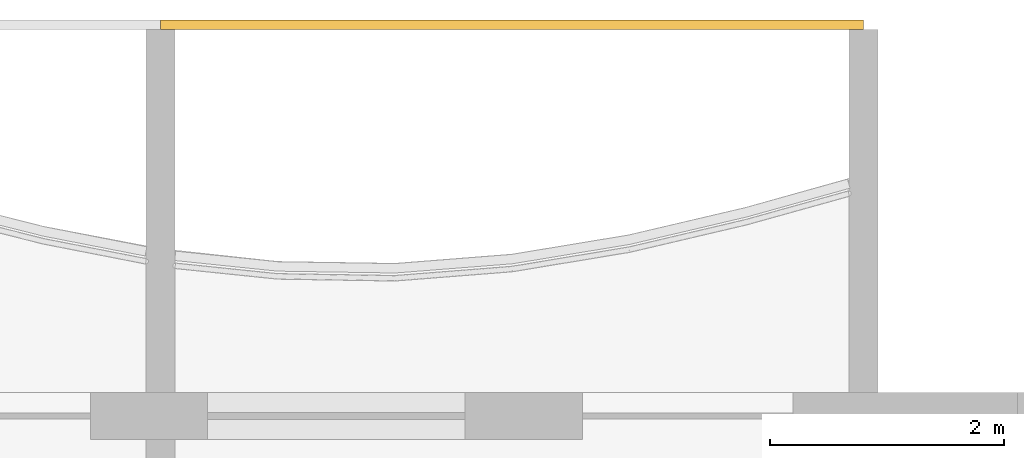
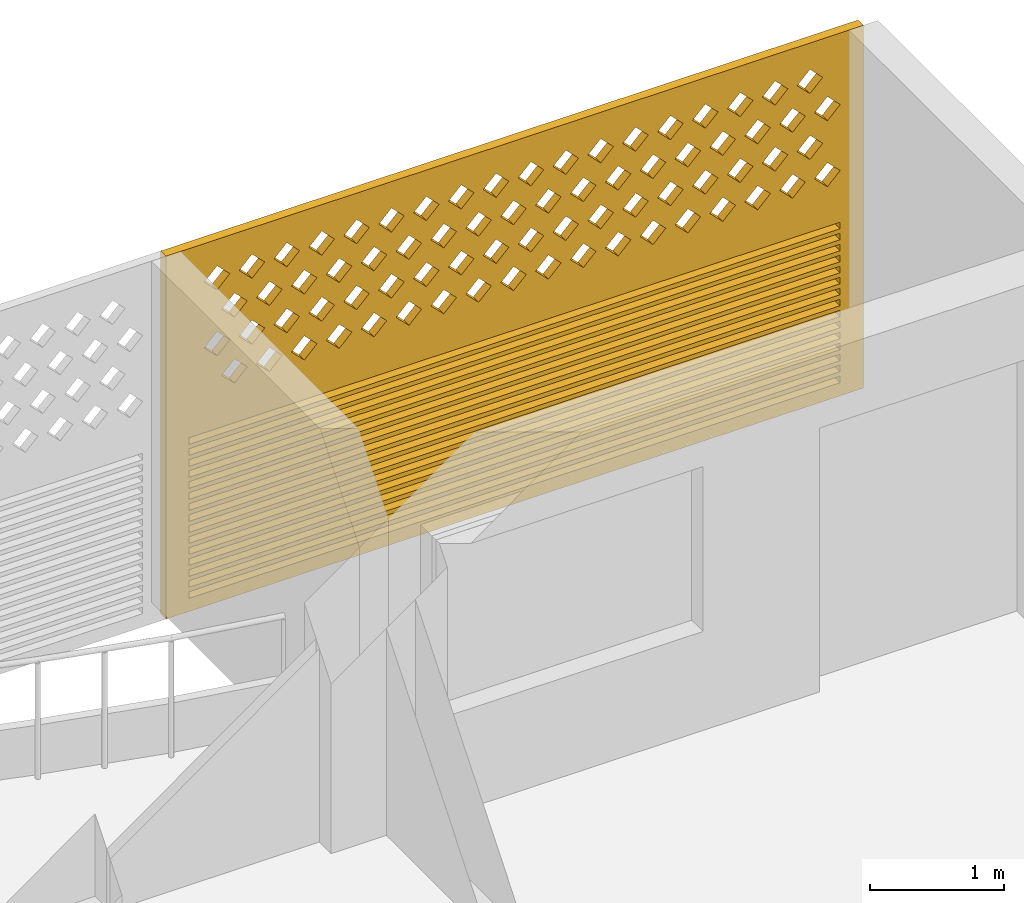
# One storey, part 27 of 27: 1 covering.
"""IFC4 building model written with IfcOpenShell, lengths in metres."""

import ifcopenshell
import ifcopenshell.guid

model = None  # the IFC model being written
_history = None  # IfcOwnerHistory: only IFC2X3 demands one
_inside = {}  # id of a spatial element -> (the spatial element, [elements in it])
_under = {}  # id of a project, library or spatial element -> (it, [spatial elements below it])
_declared = {}  # id of a project -> (the project, [libraries it declares])
_typed = {}  # id of a type object -> (the type object, [elements of that type])
_made_of = {}  # id of a material, layer set ... -> (it, [elements and type objects made of it])


def new_model(schema):
    """Start an empty IFC model of exactly this schema.

    Asked for "IFC4X3", IfcOpenShell would pick the latest addendum, in which some entities
    have other attributes; the version numbers below select the first issue.
    IFC2X3 requires an IfcOwnerHistory on every rooted entity: one is made here for all.
    """
    global model, _history
    if schema == "IFC4X3":
        model = ifcopenshell.file(schema_version=(4, 3, 0, 0))
    else:
        model = ifcopenshell.file(schema=schema)
    _inside.clear()
    _under.clear()
    _declared.clear()
    _typed.clear()
    _made_of.clear()
    _history = None
    if model.schema == "IFC2X3":
        org = make("IfcOrganization", Name="unknown")
        user = make(
            "IfcPersonAndOrganization",
            ThePerson=make("IfcPerson", FamilyName="unknown"),
            TheOrganization=org,
        )
        app = make(
            "IfcApplication",
            ApplicationDeveloper=org,
            Version="unknown",
            ApplicationFullName="unknown",
            ApplicationIdentifier="unknown",
        )
        _history = make(
            "IfcOwnerHistory",
            OwningUser=user,
            OwningApplication=app,
            ChangeAction="ADDED",
            CreationDate=0,
        )
    return model


def make(cls, **values):
    """One entity of the class cls with the attributes given. An attribute that is None is left unset."""
    return model.create_entity(
        cls, **{name: value for name, value in values.items() if value is not None}
    )


def rooted(cls, **values):
    """An entity with a GlobalId (a new one), such as an element, a storey or a relation."""
    return make(cls, GlobalId=ifcopenshell.guid.new(), OwnerHistory=_history, **values)


def si_unit(unit_type, name, prefix=None):
    """IfcSIUnit, for example si_unit("LENGTHUNIT", "METRE", prefix="MILLI")."""
    return make("IfcSIUnit", UnitType=unit_type, Prefix=prefix, Name=name)


def assignment(units):
    """IfcUnitAssignment: the units of a project."""
    return None if units is None else make("IfcUnitAssignment", Units=units)


def point(xyz):
    """IfcCartesianPoint."""
    return None if xyz is None else make("IfcCartesianPoint", Coordinates=xyz)


def direction(xyz):
    """IfcDirection."""
    return None if xyz is None else make("IfcDirection", DirectionRatios=xyz)


def frame(location, z_axis=None, x_axis=None):
    """IfcAxis2Placement3D, a coordinate frame: its origin and axes. An axis left out is left unset."""
    return make(
        "IfcAxis2Placement3D",
        Location=point(location),
        Axis=direction(z_axis),
        RefDirection=direction(x_axis),
    )


def origin():
    """The frame at (0, 0, 0) with its axes left unset."""
    return frame((0.0, 0.0, 0.0))


def place(relative_to, where):
    """IfcLocalPlacement: puts the frame where relative to a parent placement (None: the world)."""
    return make(
        "IfcLocalPlacement", PlacementRelTo=relative_to, RelativePlacement=where
    )


def context(
    kind, dimensions, precision=None, world=None, true_north=None, identifier=None
):
    """IfcGeometricRepresentationContext, for example the 3D "Model" context."""
    return make(
        "IfcGeometricRepresentationContext",
        ContextIdentifier=identifier,
        ContextType=kind,
        CoordinateSpaceDimension=dimensions,
        Precision=precision,
        WorldCoordinateSystem=world,
        TrueNorth=true_north,
    )


def subcontext(parent, identifier, kind, view, scale=None):
    """IfcGeometricRepresentationSubContext, for example "Body" below "Model"."""
    return make(
        "IfcGeometricRepresentationSubContext",
        ContextIdentifier=identifier,
        ContextType=kind,
        ParentContext=parent,
        TargetScale=scale,
        TargetView=view,
    )


def project(units=None, contexts=None):
    """IfcProject with its units and contexts."""
    return rooted(
        "IfcProject",
        Name="project",
        RepresentationContexts=contexts,
        UnitsInContext=assignment(units),
    )


def spatial(cls, under=None, at=None, **own):
    """A site, building, storey or space (cls), placed at a placement, below another one or the project."""
    s = rooted(cls, ObjectPlacement=at, **own)
    if under is not None:
        _under.setdefault(under.id(), (under, []))[1].append(s)
    return s


def polyline(points):
    """IfcPolyline through the points."""
    return make("IfcPolyline", Points=[point(p) for p in points])


def outline(outer, holes=None, kind="AREA"):
    """IfcArbitraryClosedProfileDef: a profile drawn as a closed curve; with holes, ...WithVoids."""
    if holes is None:
        return make("IfcArbitraryClosedProfileDef", ProfileType=kind, OuterCurve=outer)
    return make(
        "IfcArbitraryProfileDefWithVoids",
        ProfileType=kind,
        OuterCurve=outer,
        InnerCurves=holes,
    )


def extrude(swept, where, along, depth):
    """IfcExtrudedAreaSolid: the profile swept, set in the frame where, extruded along a direction by depth."""
    return make(
        "IfcExtrudedAreaSolid",
        SweptArea=swept,
        Position=where,
        ExtrudedDirection=direction(along),
        Depth=depth,
    )


def shape(context_of_items, identifier, shape_type, items):
    """IfcShapeRepresentation: the items that make up one representation, for example the "Body"."""
    return make(
        "IfcShapeRepresentation",
        ContextOfItems=context_of_items,
        RepresentationIdentifier=identifier,
        RepresentationType=shape_type,
        Items=items,
    )


def source(mapping_origin, context_of_items, identifier, shape_type, items):
    """IfcRepresentationMap: a shape defined once, which mapped items show again and again."""
    return make(
        "IfcRepresentationMap",
        MappingOrigin=mapping_origin,
        MappedRepresentation=shape(context_of_items, identifier, shape_type, items),
    )


def transform(
    local_origin,
    x_axis=None,
    y_axis=None,
    z_axis=None,
    scale=None,
    scale2=None,
    scale3=None,
    uniform=True,
):
    """IfcCartesianTransformationOperator3D, or its non-uniform kind. x_axis, y_axis, z_axis: its Axis1, 2, 3."""
    if uniform:
        return make(
            "IfcCartesianTransformationOperator3D",
            Axis1=direction(x_axis),
            Axis2=direction(y_axis),
            LocalOrigin=point(local_origin),
            Scale=scale,
            Axis3=direction(z_axis),
        )
    return make(
        "IfcCartesianTransformationOperator3DnonUniform",
        Axis1=direction(x_axis),
        Axis2=direction(y_axis),
        LocalOrigin=point(local_origin),
        Scale=scale,
        Axis3=direction(z_axis),
        Scale2=scale2,
        Scale3=scale3,
    )


def mapped(mapping_source, mapping_target):
    """IfcMappedItem: shows the shape of a source again, moved by a transform."""
    return make(
        "IfcMappedItem", MappingSource=mapping_source, MappingTarget=mapping_target
    )


def material(Name=None, Category=None):
    """IfcMaterial."""
    return make("IfcMaterial", Name=Name, Category=Category)


def material_profile(
    of_material, cross_section, Name=None, Category=None, Priority=None
):
    """IfcMaterialProfile: a cross section and its material."""
    return make(
        "IfcMaterialProfile",
        Name=Name,
        Material=of_material,
        Profile=cross_section,
        Priority=Priority,
        Category=Category,
    )


def profile_set(profiles, Name=None, composite=None):
    """IfcMaterialProfileSet."""
    return make(
        "IfcMaterialProfileSet",
        Name=Name,
        MaterialProfiles=profiles,
        CompositeProfile=composite,
    )


def made_of(thing, what):
    """Note that an element or type object is made of a material, layer set ...; save() writes the relation."""
    if what is not None:
        _made_of.setdefault(what.id(), (what, []))[1].append(thing)
    return thing


def type_object(cls, material=None, **own):
    """A type object (cls), such as IfcWallType, which elements share."""
    return made_of(rooted(cls, **own), material)


def element(
    cls,
    number,
    at=None,
    inside=None,
    cuts=None,
    type_object=None,
    material=None,
    context=None,
    identifier="Body",
    shape_type=None,
    held_by="IfcProductDefinitionShape",
    body=None,
    shapes=None,
    **own,
):
    """One element of the class cls, such as IfcWall. Its Tag is "e" and its number.

    at: its placement. inside: the storey or other place that contains it. cuts: it is an
    opening in that element (IfcRelVoidsElement). A single representation is given by context,
    identifier, shape_type and body (its items); several are given by shapes. held_by: the class
    of the entity that holds the representations. save() writes the other relations.
    """
    e = rooted(cls, Tag="e%d" % number, ObjectPlacement=at, **own)
    if body is not None:
        shapes = [shape(context, identifier, shape_type, body)]
    if shapes is not None:
        e.Representation = make(held_by, Representations=shapes)
    if inside is not None:
        _inside.setdefault(inside.id(), (inside, []))[1].append(e)
    if cuts is not None:
        rooted(
            "IfcRelVoidsElement", RelatingBuildingElement=cuts, RelatedOpeningElement=e
        )
    if type_object is not None:
        _typed.setdefault(type_object.id(), (type_object, []))[1].append(e)
    return made_of(e, material)


def aggregate(whole, parts):
    """IfcRelAggregates: a whole, such as a stair, and the parts it consists of."""
    return rooted("IfcRelAggregates", RelatingObject=whole, RelatedObjects=parts)


def save(model, path):
    """Write the relations noted so far, then the file.

    IfcRelAggregates (storeys below a building ...), IfcRelContainedInSpatialStructure (elements
    in a storey), IfcRelDefinesByType, IfcRelAssociatesMaterial and IfcRelDeclares: one each for
    every whole, place, type object, material and project.
    """
    for whole, parts in _under.values():
        aggregate(whole, parts)
    for where, things in _inside.values():
        rooted(
            "IfcRelContainedInSpatialStructure",
            RelatedElements=things,
            RelatingStructure=where,
        )
    for kind, things in _typed.values():
        rooted("IfcRelDefinesByType", RelatedObjects=things, RelatingType=kind)
    for what, things in _made_of.values():
        rooted("IfcRelAssociatesMaterial", RelatedObjects=things, RelatingMaterial=what)
    for by, libraries in _declared.values():
        rooted("IfcRelDeclares", RelatingContext=by, RelatedDefinitions=libraries)
    model.write(path)


model = new_model("IFC4")

# Units and contexts
model_context = context("Model", 3, precision=1e-05, world=origin(), true_north=direction((0.0, 1.0)))
body_context = subcontext(model_context, "Body", "Model", "MODEL_VIEW")
ifc_project = project(units=[si_unit("LENGTHUNIT", "METRE"), si_unit("AREAUNIT", "SQUARE_METRE"), si_unit("VOLUMEUNIT", "CUBIC_METRE"), si_unit("PLANEANGLEUNIT", "RADIAN"), si_unit("MASSUNIT", "GRAM", prefix="KILO")], contexts=[model_context])

# Site, building, storey
site_placement = place(None, origin())
site = spatial("IfcSite", under=ifc_project, at=site_placement, CompositionType="ELEMENT")
building_placement = place(site_placement, origin())
building = spatial("IfcBuilding", under=site, at=building_placement, Name="Poui Terraces", CompositionType="ELEMENT")
storey_placement = place(building_placement, frame((0.0, 0.0, 195.0)))
storey = spatial("IfcBuildingStorey", under=building, at=storey_placement, Name="L54", CompositionType="ELEMENT", Elevation=195.0)

# Covering
ifc_material = material(Name="Terracotta screen", Category="masonry")
ifc_material_profile = material_profile(ifc_material, outline(polyline([(-3.0, -1.64990234375), (3.0, -1.64990234375), (3.0, 1.64990234375), (-3.0, 1.64990234375), (-3.0, -1.64990234375)]), holes=[polyline([(-2.800048828125, 0.39990234375), (-2.68994140625, 0.2900390625), (-2.580078125, 0.39990234375), (-2.68994140625, 0.510009765625), (-2.800048828125, 0.39990234375)]), polyline([(-2.5, 0.39990234375), (-2.389892578125, 0.2900390625), (-2.280029296875, 0.39990234375), (-2.389892578125, 0.510009765625), (-2.5, 0.39990234375)]), polyline([(-2.199951171875, 0.39990234375), (-2.090087890625, 0.2900390625), (-1.97998046875, 0.39990234375), (-2.090087890625, 0.510009765625), (-2.199951171875, 0.39990234375)]), polyline([(-1.89990234375, 0.39990234375), (-1.7900390625, 0.2900390625), (-1.679931640625, 0.39990234375), (-1.7900390625, 0.510009765625), (-1.89990234375, 0.39990234375)]), polyline([(-1.60009765625, 0.39990234375), (-1.489990234375, 0.2900390625), (-1.3798828125, 0.39990234375), (-1.489990234375, 0.510009765625), (-1.60009765625, 0.39990234375)]), polyline([(-1.300048828125, 0.39990234375), (-1.18994140625, 0.2900390625), (-1.080078125, 0.39990234375), (-1.18994140625, 0.510009765625), (-1.300048828125, 0.39990234375)]), polyline([(-1.0, 0.39990234375), (-0.889892578125, 0.2900390625), (-0.780029296875, 0.39990234375), (-0.889892578125, 0.510009765625), (-1.0, 0.39990234375)]), polyline([(-0.699951171875, 0.39990234375), (-0.590087890625, 0.2900390625), (-0.47998046875, 0.39990234375), (-0.590087890625, 0.510009765625), (-0.699951171875, 0.39990234375)]), polyline([(-0.39990234375, 0.39990234375), (-0.2900390625, 0.2900390625), (-0.179931640625, 0.39990234375), (-0.2900390625, 0.510009765625), (-0.39990234375, 0.39990234375)]), polyline([(-0.10009765625, 0.39990234375), (0.010009765625, 0.2900390625), (0.1201171875, 0.39990234375), (0.010009765625, 0.510009765625), (-0.10009765625, 0.39990234375)]), polyline([(0.199951171875, 0.39990234375), (0.31005859375, 0.2900390625), (0.419921875, 0.39990234375), (0.31005859375, 0.510009765625), (0.199951171875, 0.39990234375)]), polyline([(0.5, 0.39990234375), (0.610107421875, 0.2900390625), (0.719970703125, 0.39990234375), (0.610107421875, 0.510009765625), (0.5, 0.39990234375)]), polyline([(0.800048828125, 0.39990234375), (0.909912109375, 0.2900390625), (1.02001953125, 0.39990234375), (0.909912109375, 0.510009765625), (0.800048828125, 0.39990234375)]), polyline([(1.10009765625, 0.39990234375), (1.2099609375, 0.2900390625), (1.320068359375, 0.39990234375), (1.2099609375, 0.510009765625), (1.10009765625, 0.39990234375)]), polyline([(1.39990234375, 0.39990234375), (1.510009765625, 0.2900390625), (1.6201171875, 0.39990234375), (1.510009765625, 0.510009765625), (1.39990234375, 0.39990234375)]), polyline([(1.699951171875, 0.39990234375), (1.81005859375, 0.2900390625), (1.919921875, 0.39990234375), (1.81005859375, 0.510009765625), (1.699951171875, 0.39990234375)]), polyline([(2.0, 0.39990234375), (2.110107421875, 0.2900390625), (2.219970703125, 0.39990234375), (2.110107421875, 0.510009765625), (2.0, 0.39990234375)]), polyline([(2.300048828125, 0.39990234375), (2.409912109375, 0.2900390625), (2.52001953125, 0.39990234375), (2.409912109375, 0.510009765625), (2.300048828125, 0.39990234375)]), polyline([(-2.64990234375, 0.699951171875), (-2.5400390625, 0.590087890625), (-2.429931640625, 0.699951171875), (-2.5400390625, 0.81005859375), (-2.64990234375, 0.699951171875)]), polyline([(-2.35009765625, 0.699951171875), (-2.239990234375, 0.590087890625), (-2.1298828125, 0.699951171875), (-2.239990234375, 0.81005859375), (-2.35009765625, 0.699951171875)]), polyline([(-2.050048828125, 0.699951171875), (-1.93994140625, 0.590087890625), (-1.830078125, 0.699951171875), (-1.93994140625, 0.81005859375), (-2.050048828125, 0.699951171875)]), polyline([(-1.75, 0.699951171875), (-1.639892578125, 0.590087890625), (-1.530029296875, 0.699951171875), (-1.639892578125, 0.81005859375), (-1.75, 0.699951171875)]), polyline([(-1.449951171875, 0.699951171875), (-1.340087890625, 0.590087890625), (-1.22998046875, 0.699951171875), (-1.340087890625, 0.81005859375), (-1.449951171875, 0.699951171875)]), polyline([(-1.14990234375, 0.699951171875), (-1.0400390625, 0.590087890625), (-0.929931640625, 0.699951171875), (-1.0400390625, 0.81005859375), (-1.14990234375, 0.699951171875)]), polyline([(-0.85009765625, 0.699951171875), (-0.739990234375, 0.590087890625), (-0.6298828125, 0.699951171875), (-0.739990234375, 0.81005859375), (-0.85009765625, 0.699951171875)]), polyline([(-0.550048828125, 0.699951171875), (-0.43994140625, 0.590087890625), (-0.330078125, 0.699951171875), (-0.43994140625, 0.81005859375), (-0.550048828125, 0.699951171875)]), polyline([(-0.25, 0.699951171875), (-0.139892578125, 0.590087890625), (-0.030029296875, 0.699951171875), (-0.139892578125, 0.81005859375), (-0.25, 0.699951171875)]), polyline([(0.050048828125, 0.699951171875), (0.159912109375, 0.590087890625), (0.27001953125, 0.699951171875), (0.159912109375, 0.81005859375), (0.050048828125, 0.699951171875)]), polyline([(0.35009765625, 0.699951171875), (0.4599609375, 0.590087890625), (0.570068359375, 0.699951171875), (0.4599609375, 0.81005859375), (0.35009765625, 0.699951171875)]), polyline([(0.64990234375, 0.699951171875), (0.760009765625, 0.590087890625), (0.8701171875, 0.699951171875), (0.760009765625, 0.81005859375), (0.64990234375, 0.699951171875)]), polyline([(0.949951171875, 0.699951171875), (1.06005859375, 0.590087890625), (1.169921875, 0.699951171875), (1.06005859375, 0.81005859375), (0.949951171875, 0.699951171875)]), polyline([(1.25, 0.699951171875), (1.360107421875, 0.590087890625), (1.469970703125, 0.699951171875), (1.360107421875, 0.81005859375), (1.25, 0.699951171875)]), polyline([(1.550048828125, 0.699951171875), (1.659912109375, 0.590087890625), (1.77001953125, 0.699951171875), (1.659912109375, 0.81005859375), (1.550048828125, 0.699951171875)]), polyline([(1.85009765625, 0.699951171875), (1.9599609375, 0.590087890625), (2.070068359375, 0.699951171875), (1.9599609375, 0.81005859375), (1.85009765625, 0.699951171875)]), polyline([(2.14990234375, 0.699951171875), (2.260009765625, 0.590087890625), (2.3701171875, 0.699951171875), (2.260009765625, 0.81005859375), (2.14990234375, 0.699951171875)]), polyline([(2.449951171875, 0.699951171875), (2.56005859375, 0.590087890625), (2.669921875, 0.699951171875), (2.56005859375, 0.81005859375), (2.449951171875, 0.699951171875)]), polyline([(-2.800048828125, 1.0), (-2.68994140625, 0.889892578125), (-2.580078125, 1.0), (-2.68994140625, 1.110107421875), (-2.800048828125, 1.0)]), polyline([(-2.5, 1.0), (-2.389892578125, 0.889892578125), (-2.280029296875, 1.0), (-2.389892578125, 1.110107421875), (-2.5, 1.0)]), polyline([(-2.199951171875, 1.0), (-2.090087890625, 0.889892578125), (-1.97998046875, 1.0), (-2.090087890625, 1.110107421875), (-2.199951171875, 1.0)]), polyline([(-1.89990234375, 1.0), (-1.7900390625, 0.889892578125), (-1.679931640625, 1.0), (-1.7900390625, 1.110107421875), (-1.89990234375, 1.0)]), polyline([(-1.60009765625, 1.0), (-1.489990234375, 0.889892578125), (-1.3798828125, 1.0), (-1.489990234375, 1.110107421875), (-1.60009765625, 1.0)]), polyline([(-1.300048828125, 1.0), (-1.18994140625, 0.889892578125), (-1.080078125, 1.0), (-1.18994140625, 1.110107421875), (-1.300048828125, 1.0)]), polyline([(-1.0, 1.0), (-0.889892578125, 0.889892578125), (-0.780029296875, 1.0), (-0.889892578125, 1.110107421875), (-1.0, 1.0)]), polyline([(-0.699951171875, 1.0), (-0.590087890625, 0.889892578125), (-0.47998046875, 1.0), (-0.590087890625, 1.110107421875), (-0.699951171875, 1.0)]), polyline([(-0.39990234375, 1.0), (-0.2900390625, 0.889892578125), (-0.179931640625, 1.0), (-0.2900390625, 1.110107421875), (-0.39990234375, 1.0)]), polyline([(-0.10009765625, 1.0), (0.010009765625, 0.889892578125), (0.1201171875, 1.0), (0.010009765625, 1.110107421875), (-0.10009765625, 1.0)]), polyline([(0.199951171875, 1.0), (0.31005859375, 0.889892578125), (0.419921875, 1.0), (0.31005859375, 1.110107421875), (0.199951171875, 1.0)]), polyline([(0.5, 1.0), (0.610107421875, 0.889892578125), (0.719970703125, 1.0), (0.610107421875, 1.110107421875), (0.5, 1.0)]), polyline([(0.800048828125, 1.0), (0.909912109375, 0.889892578125), (1.02001953125, 1.0), (0.909912109375, 1.110107421875), (0.800048828125, 1.0)]), polyline([(1.10009765625, 1.0), (1.2099609375, 0.889892578125), (1.320068359375, 1.0), (1.2099609375, 1.110107421875), (1.10009765625, 1.0)]), polyline([(1.39990234375, 1.0), (1.510009765625, 0.889892578125), (1.6201171875, 1.0), (1.510009765625, 1.110107421875), (1.39990234375, 1.0)]), polyline([(1.699951171875, 1.0), (1.81005859375, 0.889892578125), (1.919921875, 1.0), (1.81005859375, 1.110107421875), (1.699951171875, 1.0)]), polyline([(2.0, 1.0), (2.110107421875, 0.889892578125), (2.219970703125, 1.0), (2.110107421875, 1.110107421875), (2.0, 1.0)]), polyline([(2.300048828125, 1.0), (2.409912109375, 0.889892578125), (2.52001953125, 1.0), (2.409912109375, 1.110107421875), (2.300048828125, 1.0)]), polyline([(-2.64990234375, 1.300048828125), (-2.5400390625, 1.18994140625), (-2.429931640625, 1.300048828125), (-2.5400390625, 1.409912109375), (-2.64990234375, 1.300048828125)]), polyline([(-2.35009765625, 1.300048828125), (-2.239990234375, 1.18994140625), (-2.1298828125, 1.300048828125), (-2.239990234375, 1.409912109375), (-2.35009765625, 1.300048828125)]), polyline([(-2.050048828125, 1.300048828125), (-1.93994140625, 1.18994140625), (-1.830078125, 1.300048828125), (-1.93994140625, 1.409912109375), (-2.050048828125, 1.300048828125)]), polyline([(-1.75, 1.300048828125), (-1.639892578125, 1.18994140625), (-1.530029296875, 1.300048828125), (-1.639892578125, 1.409912109375), (-1.75, 1.300048828125)]), polyline([(-1.449951171875, 1.300048828125), (-1.340087890625, 1.18994140625), (-1.22998046875, 1.300048828125), (-1.340087890625, 1.409912109375), (-1.449951171875, 1.300048828125)]), polyline([(-1.14990234375, 1.300048828125), (-1.0400390625, 1.18994140625), (-0.929931640625, 1.300048828125), (-1.0400390625, 1.409912109375), (-1.14990234375, 1.300048828125)]), polyline([(-0.85009765625, 1.300048828125), (-0.739990234375, 1.18994140625), (-0.6298828125, 1.300048828125), (-0.739990234375, 1.409912109375), (-0.85009765625, 1.300048828125)]), polyline([(-0.550048828125, 1.300048828125), (-0.43994140625, 1.18994140625), (-0.330078125, 1.300048828125), (-0.43994140625, 1.409912109375), (-0.550048828125, 1.300048828125)]), polyline([(-0.25, 1.300048828125), (-0.139892578125, 1.18994140625), (-0.030029296875, 1.300048828125), (-0.139892578125, 1.409912109375), (-0.25, 1.300048828125)]), polyline([(0.050048828125, 1.300048828125), (0.159912109375, 1.18994140625), (0.27001953125, 1.300048828125), (0.159912109375, 1.409912109375), (0.050048828125, 1.300048828125)]), polyline([(0.35009765625, 1.300048828125), (0.4599609375, 1.18994140625), (0.570068359375, 1.300048828125), (0.4599609375, 1.409912109375), (0.35009765625, 1.300048828125)]), polyline([(0.64990234375, 1.300048828125), (0.760009765625, 1.18994140625), (0.8701171875, 1.300048828125), (0.760009765625, 1.409912109375), (0.64990234375, 1.300048828125)]), polyline([(0.949951171875, 1.300048828125), (1.06005859375, 1.18994140625), (1.169921875, 1.300048828125), (1.06005859375, 1.409912109375), (0.949951171875, 1.300048828125)]), polyline([(1.25, 1.300048828125), (1.360107421875, 1.18994140625), (1.469970703125, 1.300048828125), (1.360107421875, 1.409912109375), (1.25, 1.300048828125)]), polyline([(1.550048828125, 1.300048828125), (1.659912109375, 1.18994140625), (1.77001953125, 1.300048828125), (1.659912109375, 1.409912109375), (1.550048828125, 1.300048828125)]), polyline([(1.85009765625, 1.300048828125), (1.9599609375, 1.18994140625), (2.070068359375, 1.300048828125), (1.9599609375, 1.409912109375), (1.85009765625, 1.300048828125)]), polyline([(2.14990234375, 1.300048828125), (2.260009765625, 1.18994140625), (2.3701171875, 1.300048828125), (2.260009765625, 1.409912109375), (2.14990234375, 1.300048828125)]), polyline([(2.449951171875, 1.300048828125), (2.56005859375, 1.18994140625), (2.669921875, 1.300048828125), (2.56005859375, 1.409912109375), (2.449951171875, 1.300048828125)]), polyline([(-2.800048828125, -1.530029296875), (2.800048828125, -1.530029296875), (2.800048828125, -1.469970703125), (-2.800048828125, -1.469970703125), (-2.800048828125, -1.530029296875)]), polyline([(-2.800048828125, -1.429931640625), (2.800048828125, -1.429931640625), (2.800048828125, -1.3701171875), (-2.800048828125, -1.3701171875), (-2.800048828125, -1.429931640625)]), polyline([(-2.800048828125, -1.330078125), (2.800048828125, -1.330078125), (2.800048828125, -1.27001953125), (-2.800048828125, -1.27001953125), (-2.800048828125, -1.330078125)]), polyline([(-2.800048828125, -1.22998046875), (2.800048828125, -1.22998046875), (2.800048828125, -1.169921875), (-2.800048828125, -1.169921875), (-2.800048828125, -1.22998046875)]), polyline([(-2.800048828125, -1.1298828125), (2.800048828125, -1.1298828125), (2.800048828125, -1.070068359375), (-2.800048828125, -1.070068359375), (-2.800048828125, -1.1298828125)]), polyline([(-2.800048828125, -1.030029296875), (2.800048828125, -1.030029296875), (2.800048828125, -0.969970703125), (-2.800048828125, -0.969970703125), (-2.800048828125, -1.030029296875)]), polyline([(-2.800048828125, -0.929931640625), (2.800048828125, -0.929931640625), (2.800048828125, -0.8701171875), (-2.800048828125, -0.8701171875), (-2.800048828125, -0.929931640625)]), polyline([(-2.800048828125, -0.830078125), (2.800048828125, -0.830078125), (2.800048828125, -0.77001953125), (-2.800048828125, -0.77001953125), (-2.800048828125, -0.830078125)]), polyline([(-2.800048828125, -0.72998046875), (2.800048828125, -0.72998046875), (2.800048828125, -0.669921875), (-2.800048828125, -0.669921875), (-2.800048828125, -0.72998046875)]), polyline([(-2.800048828125, -0.6298828125), (2.800048828125, -0.6298828125), (2.800048828125, -0.570068359375), (-2.800048828125, -0.570068359375), (-2.800048828125, -0.6298828125)]), polyline([(-2.800048828125, -0.530029296875), (2.800048828125, -0.530029296875), (2.800048828125, -0.469970703125), (-2.800048828125, -0.469970703125), (-2.800048828125, -0.530029296875)]), polyline([(-2.800048828125, -0.429931640625), (2.800048828125, -0.429931640625), (2.800048828125, -0.3701171875), (-2.800048828125, -0.3701171875), (-2.800048828125, -0.429931640625)]), polyline([(-2.800048828125, -0.330078125), (2.800048828125, -0.330078125), (2.800048828125, -0.27001953125), (-2.800048828125, -0.27001953125), (-2.800048828125, -0.330078125)]), polyline([(-2.800048828125, -0.22998046875), (2.800048828125, -0.22998046875), (2.800048828125, -0.169921875), (-2.800048828125, -0.169921875), (-2.800048828125, -0.22998046875)]), polyline([(-2.800048828125, -0.1298828125), (2.800048828125, -0.1298828125), (2.800048828125, -0.070068359375), (-2.800048828125, -0.070068359375), (-2.800048828125, -0.1298828125)])]), Name="TERRACOTTA SCREEN AND JALOUSIE LOUVRE 6000X3300")
ifc_profile_set = profile_set([ifc_material_profile], Name="Terracotta screen")
covering_type = type_object("IfcCoveringType", Name="TERRACOTTA SCREEN AND JALOUSIE LOUVRE 6000X3300", PredefinedType="CLADDING", material=ifc_profile_set)
shared_shape = source(origin(), body_context, "Body", "SweptSolid", [
    extrude(outline(polyline([(-3.0, -1.64990234375), (3.0, -1.64990234375), (3.0, 1.64990234375), (-3.0, 1.64990234375), (-3.0, -1.64990234375)]), holes=[polyline([(-2.800048828125, 0.39990234375), (-2.68994140625, 0.2900390625), (-2.580078125, 0.39990234375), (-2.68994140625, 0.510009765625), (-2.800048828125, 0.39990234375)]), polyline([(-2.5, 0.39990234375), (-2.389892578125, 0.2900390625), (-2.280029296875, 0.39990234375), (-2.389892578125, 0.510009765625), (-2.5, 0.39990234375)]), polyline([(-2.199951171875, 0.39990234375), (-2.090087890625, 0.2900390625), (-1.97998046875, 0.39990234375), (-2.090087890625, 0.510009765625), (-2.199951171875, 0.39990234375)]), polyline([(-1.89990234375, 0.39990234375), (-1.7900390625, 0.2900390625), (-1.679931640625, 0.39990234375), (-1.7900390625, 0.510009765625), (-1.89990234375, 0.39990234375)]), polyline([(-1.60009765625, 0.39990234375), (-1.489990234375, 0.2900390625), (-1.3798828125, 0.39990234375), (-1.489990234375, 0.510009765625), (-1.60009765625, 0.39990234375)]), polyline([(-1.300048828125, 0.39990234375), (-1.18994140625, 0.2900390625), (-1.080078125, 0.39990234375), (-1.18994140625, 0.510009765625), (-1.300048828125, 0.39990234375)]), polyline([(-1.0, 0.39990234375), (-0.889892578125, 0.2900390625), (-0.780029296875, 0.39990234375), (-0.889892578125, 0.510009765625), (-1.0, 0.39990234375)]), polyline([(-0.699951171875, 0.39990234375), (-0.590087890625, 0.2900390625), (-0.47998046875, 0.39990234375), (-0.590087890625, 0.510009765625), (-0.699951171875, 0.39990234375)]), polyline([(-0.39990234375, 0.39990234375), (-0.2900390625, 0.2900390625), (-0.179931640625, 0.39990234375), (-0.2900390625, 0.510009765625), (-0.39990234375, 0.39990234375)]), polyline([(-0.10009765625, 0.39990234375), (0.010009765625, 0.2900390625), (0.1201171875, 0.39990234375), (0.010009765625, 0.510009765625), (-0.10009765625, 0.39990234375)]), polyline([(0.199951171875, 0.39990234375), (0.31005859375, 0.2900390625), (0.419921875, 0.39990234375), (0.31005859375, 0.510009765625), (0.199951171875, 0.39990234375)]), polyline([(0.5, 0.39990234375), (0.610107421875, 0.2900390625), (0.719970703125, 0.39990234375), (0.610107421875, 0.510009765625), (0.5, 0.39990234375)]), polyline([(0.800048828125, 0.39990234375), (0.909912109375, 0.2900390625), (1.02001953125, 0.39990234375), (0.909912109375, 0.510009765625), (0.800048828125, 0.39990234375)]), polyline([(1.10009765625, 0.39990234375), (1.2099609375, 0.2900390625), (1.320068359375, 0.39990234375), (1.2099609375, 0.510009765625), (1.10009765625, 0.39990234375)]), polyline([(1.39990234375, 0.39990234375), (1.510009765625, 0.2900390625), (1.6201171875, 0.39990234375), (1.510009765625, 0.510009765625), (1.39990234375, 0.39990234375)]), polyline([(1.699951171875, 0.39990234375), (1.81005859375, 0.2900390625), (1.919921875, 0.39990234375), (1.81005859375, 0.510009765625), (1.699951171875, 0.39990234375)]), polyline([(2.0, 0.39990234375), (2.110107421875, 0.2900390625), (2.219970703125, 0.39990234375), (2.110107421875, 0.510009765625), (2.0, 0.39990234375)]), polyline([(2.300048828125, 0.39990234375), (2.409912109375, 0.2900390625), (2.52001953125, 0.39990234375), (2.409912109375, 0.510009765625), (2.300048828125, 0.39990234375)]), polyline([(-2.64990234375, 0.699951171875), (-2.5400390625, 0.590087890625), (-2.429931640625, 0.699951171875), (-2.5400390625, 0.81005859375), (-2.64990234375, 0.699951171875)]), polyline([(-2.35009765625, 0.699951171875), (-2.239990234375, 0.590087890625), (-2.1298828125, 0.699951171875), (-2.239990234375, 0.81005859375), (-2.35009765625, 0.699951171875)]), polyline([(-2.050048828125, 0.699951171875), (-1.93994140625, 0.590087890625), (-1.830078125, 0.699951171875), (-1.93994140625, 0.81005859375), (-2.050048828125, 0.699951171875)]), polyline([(-1.75, 0.699951171875), (-1.639892578125, 0.590087890625), (-1.530029296875, 0.699951171875), (-1.639892578125, 0.81005859375), (-1.75, 0.699951171875)]), polyline([(-1.449951171875, 0.699951171875), (-1.340087890625, 0.590087890625), (-1.22998046875, 0.699951171875), (-1.340087890625, 0.81005859375), (-1.449951171875, 0.699951171875)]), polyline([(-1.14990234375, 0.699951171875), (-1.0400390625, 0.590087890625), (-0.929931640625, 0.699951171875), (-1.0400390625, 0.81005859375), (-1.14990234375, 0.699951171875)]), polyline([(-0.85009765625, 0.699951171875), (-0.739990234375, 0.590087890625), (-0.6298828125, 0.699951171875), (-0.739990234375, 0.81005859375), (-0.85009765625, 0.699951171875)]), polyline([(-0.550048828125, 0.699951171875), (-0.43994140625, 0.590087890625), (-0.330078125, 0.699951171875), (-0.43994140625, 0.81005859375), (-0.550048828125, 0.699951171875)]), polyline([(-0.25, 0.699951171875), (-0.139892578125, 0.590087890625), (-0.030029296875, 0.699951171875), (-0.139892578125, 0.81005859375), (-0.25, 0.699951171875)]), polyline([(0.050048828125, 0.699951171875), (0.159912109375, 0.590087890625), (0.27001953125, 0.699951171875), (0.159912109375, 0.81005859375), (0.050048828125, 0.699951171875)]), polyline([(0.35009765625, 0.699951171875), (0.4599609375, 0.590087890625), (0.570068359375, 0.699951171875), (0.4599609375, 0.81005859375), (0.35009765625, 0.699951171875)]), polyline([(0.64990234375, 0.699951171875), (0.760009765625, 0.590087890625), (0.8701171875, 0.699951171875), (0.760009765625, 0.81005859375), (0.64990234375, 0.699951171875)]), polyline([(0.949951171875, 0.699951171875), (1.06005859375, 0.590087890625), (1.169921875, 0.699951171875), (1.06005859375, 0.81005859375), (0.949951171875, 0.699951171875)]), polyline([(1.25, 0.699951171875), (1.360107421875, 0.590087890625), (1.469970703125, 0.699951171875), (1.360107421875, 0.81005859375), (1.25, 0.699951171875)]), polyline([(1.550048828125, 0.699951171875), (1.659912109375, 0.590087890625), (1.77001953125, 0.699951171875), (1.659912109375, 0.81005859375), (1.550048828125, 0.699951171875)]), polyline([(1.85009765625, 0.699951171875), (1.9599609375, 0.590087890625), (2.070068359375, 0.699951171875), (1.9599609375, 0.81005859375), (1.85009765625, 0.699951171875)]), polyline([(2.14990234375, 0.699951171875), (2.260009765625, 0.590087890625), (2.3701171875, 0.699951171875), (2.260009765625, 0.81005859375), (2.14990234375, 0.699951171875)]), polyline([(2.449951171875, 0.699951171875), (2.56005859375, 0.590087890625), (2.669921875, 0.699951171875), (2.56005859375, 0.81005859375), (2.449951171875, 0.699951171875)]), polyline([(-2.800048828125, 1.0), (-2.68994140625, 0.889892578125), (-2.580078125, 1.0), (-2.68994140625, 1.110107421875), (-2.800048828125, 1.0)]), polyline([(-2.5, 1.0), (-2.389892578125, 0.889892578125), (-2.280029296875, 1.0), (-2.389892578125, 1.110107421875), (-2.5, 1.0)]), polyline([(-2.199951171875, 1.0), (-2.090087890625, 0.889892578125), (-1.97998046875, 1.0), (-2.090087890625, 1.110107421875), (-2.199951171875, 1.0)]), polyline([(-1.89990234375, 1.0), (-1.7900390625, 0.889892578125), (-1.679931640625, 1.0), (-1.7900390625, 1.110107421875), (-1.89990234375, 1.0)]), polyline([(-1.60009765625, 1.0), (-1.489990234375, 0.889892578125), (-1.3798828125, 1.0), (-1.489990234375, 1.110107421875), (-1.60009765625, 1.0)]), polyline([(-1.300048828125, 1.0), (-1.18994140625, 0.889892578125), (-1.080078125, 1.0), (-1.18994140625, 1.110107421875), (-1.300048828125, 1.0)]), polyline([(-1.0, 1.0), (-0.889892578125, 0.889892578125), (-0.780029296875, 1.0), (-0.889892578125, 1.110107421875), (-1.0, 1.0)]), polyline([(-0.699951171875, 1.0), (-0.590087890625, 0.889892578125), (-0.47998046875, 1.0), (-0.590087890625, 1.110107421875), (-0.699951171875, 1.0)]), polyline([(-0.39990234375, 1.0), (-0.2900390625, 0.889892578125), (-0.179931640625, 1.0), (-0.2900390625, 1.110107421875), (-0.39990234375, 1.0)]), polyline([(-0.10009765625, 1.0), (0.010009765625, 0.889892578125), (0.1201171875, 1.0), (0.010009765625, 1.110107421875), (-0.10009765625, 1.0)]), polyline([(0.199951171875, 1.0), (0.31005859375, 0.889892578125), (0.419921875, 1.0), (0.31005859375, 1.110107421875), (0.199951171875, 1.0)]), polyline([(0.5, 1.0), (0.610107421875, 0.889892578125), (0.719970703125, 1.0), (0.610107421875, 1.110107421875), (0.5, 1.0)]), polyline([(0.800048828125, 1.0), (0.909912109375, 0.889892578125), (1.02001953125, 1.0), (0.909912109375, 1.110107421875), (0.800048828125, 1.0)]), polyline([(1.10009765625, 1.0), (1.2099609375, 0.889892578125), (1.320068359375, 1.0), (1.2099609375, 1.110107421875), (1.10009765625, 1.0)]), polyline([(1.39990234375, 1.0), (1.510009765625, 0.889892578125), (1.6201171875, 1.0), (1.510009765625, 1.110107421875), (1.39990234375, 1.0)]), polyline([(1.699951171875, 1.0), (1.81005859375, 0.889892578125), (1.919921875, 1.0), (1.81005859375, 1.110107421875), (1.699951171875, 1.0)]), polyline([(2.0, 1.0), (2.110107421875, 0.889892578125), (2.219970703125, 1.0), (2.110107421875, 1.110107421875), (2.0, 1.0)]), polyline([(2.300048828125, 1.0), (2.409912109375, 0.889892578125), (2.52001953125, 1.0), (2.409912109375, 1.110107421875), (2.300048828125, 1.0)]), polyline([(-2.64990234375, 1.300048828125), (-2.5400390625, 1.18994140625), (-2.429931640625, 1.300048828125), (-2.5400390625, 1.409912109375), (-2.64990234375, 1.300048828125)]), polyline([(-2.35009765625, 1.300048828125), (-2.239990234375, 1.18994140625), (-2.1298828125, 1.300048828125), (-2.239990234375, 1.409912109375), (-2.35009765625, 1.300048828125)]), polyline([(-2.050048828125, 1.300048828125), (-1.93994140625, 1.18994140625), (-1.830078125, 1.300048828125), (-1.93994140625, 1.409912109375), (-2.050048828125, 1.300048828125)]), polyline([(-1.75, 1.300048828125), (-1.639892578125, 1.18994140625), (-1.530029296875, 1.300048828125), (-1.639892578125, 1.409912109375), (-1.75, 1.300048828125)]), polyline([(-1.449951171875, 1.300048828125), (-1.340087890625, 1.18994140625), (-1.22998046875, 1.300048828125), (-1.340087890625, 1.409912109375), (-1.449951171875, 1.300048828125)]), polyline([(-1.14990234375, 1.300048828125), (-1.0400390625, 1.18994140625), (-0.929931640625, 1.300048828125), (-1.0400390625, 1.409912109375), (-1.14990234375, 1.300048828125)]), polyline([(-0.85009765625, 1.300048828125), (-0.739990234375, 1.18994140625), (-0.6298828125, 1.300048828125), (-0.739990234375, 1.409912109375), (-0.85009765625, 1.300048828125)]), polyline([(-0.550048828125, 1.300048828125), (-0.43994140625, 1.18994140625), (-0.330078125, 1.300048828125), (-0.43994140625, 1.409912109375), (-0.550048828125, 1.300048828125)]), polyline([(-0.25, 1.300048828125), (-0.139892578125, 1.18994140625), (-0.030029296875, 1.300048828125), (-0.139892578125, 1.409912109375), (-0.25, 1.300048828125)]), polyline([(0.050048828125, 1.300048828125), (0.159912109375, 1.18994140625), (0.27001953125, 1.300048828125), (0.159912109375, 1.409912109375), (0.050048828125, 1.300048828125)]), polyline([(0.35009765625, 1.300048828125), (0.4599609375, 1.18994140625), (0.570068359375, 1.300048828125), (0.4599609375, 1.409912109375), (0.35009765625, 1.300048828125)]), polyline([(0.64990234375, 1.300048828125), (0.760009765625, 1.18994140625), (0.8701171875, 1.300048828125), (0.760009765625, 1.409912109375), (0.64990234375, 1.300048828125)]), polyline([(0.949951171875, 1.300048828125), (1.06005859375, 1.18994140625), (1.169921875, 1.300048828125), (1.06005859375, 1.409912109375), (0.949951171875, 1.300048828125)]), polyline([(1.25, 1.300048828125), (1.360107421875, 1.18994140625), (1.469970703125, 1.300048828125), (1.360107421875, 1.409912109375), (1.25, 1.300048828125)]), polyline([(1.550048828125, 1.300048828125), (1.659912109375, 1.18994140625), (1.77001953125, 1.300048828125), (1.659912109375, 1.409912109375), (1.550048828125, 1.300048828125)]), polyline([(1.85009765625, 1.300048828125), (1.9599609375, 1.18994140625), (2.070068359375, 1.300048828125), (1.9599609375, 1.409912109375), (1.85009765625, 1.300048828125)]), polyline([(2.14990234375, 1.300048828125), (2.260009765625, 1.18994140625), (2.3701171875, 1.300048828125), (2.260009765625, 1.409912109375), (2.14990234375, 1.300048828125)]), polyline([(2.449951171875, 1.300048828125), (2.56005859375, 1.18994140625), (2.669921875, 1.300048828125), (2.56005859375, 1.409912109375), (2.449951171875, 1.300048828125)]), polyline([(-2.800048828125, -1.530029296875), (2.800048828125, -1.530029296875), (2.800048828125, -1.469970703125), (-2.800048828125, -1.469970703125), (-2.800048828125, -1.530029296875)]), polyline([(-2.800048828125, -1.429931640625), (2.800048828125, -1.429931640625), (2.800048828125, -1.3701171875), (-2.800048828125, -1.3701171875), (-2.800048828125, -1.429931640625)]), polyline([(-2.800048828125, -1.330078125), (2.800048828125, -1.330078125), (2.800048828125, -1.27001953125), (-2.800048828125, -1.27001953125), (-2.800048828125, -1.330078125)]), polyline([(-2.800048828125, -1.22998046875), (2.800048828125, -1.22998046875), (2.800048828125, -1.169921875), (-2.800048828125, -1.169921875), (-2.800048828125, -1.22998046875)]), polyline([(-2.800048828125, -1.1298828125), (2.800048828125, -1.1298828125), (2.800048828125, -1.070068359375), (-2.800048828125, -1.070068359375), (-2.800048828125, -1.1298828125)]), polyline([(-2.800048828125, -1.030029296875), (2.800048828125, -1.030029296875), (2.800048828125, -0.969970703125), (-2.800048828125, -0.969970703125), (-2.800048828125, -1.030029296875)]), polyline([(-2.800048828125, -0.929931640625), (2.800048828125, -0.929931640625), (2.800048828125, -0.8701171875), (-2.800048828125, -0.8701171875), (-2.800048828125, -0.929931640625)]), polyline([(-2.800048828125, -0.830078125), (2.800048828125, -0.830078125), (2.800048828125, -0.77001953125), (-2.800048828125, -0.77001953125), (-2.800048828125, -0.830078125)]), polyline([(-2.800048828125, -0.72998046875), (2.800048828125, -0.72998046875), (2.800048828125, -0.669921875), (-2.800048828125, -0.669921875), (-2.800048828125, -0.72998046875)]), polyline([(-2.800048828125, -0.6298828125), (2.800048828125, -0.6298828125), (2.800048828125, -0.570068359375), (-2.800048828125, -0.570068359375), (-2.800048828125, -0.6298828125)]), polyline([(-2.800048828125, -0.530029296875), (2.800048828125, -0.530029296875), (2.800048828125, -0.469970703125), (-2.800048828125, -0.469970703125), (-2.800048828125, -0.530029296875)]), polyline([(-2.800048828125, -0.429931640625), (2.800048828125, -0.429931640625), (2.800048828125, -0.3701171875), (-2.800048828125, -0.3701171875), (-2.800048828125, -0.429931640625)]), polyline([(-2.800048828125, -0.330078125), (2.800048828125, -0.330078125), (2.800048828125, -0.27001953125), (-2.800048828125, -0.27001953125), (-2.800048828125, -0.330078125)]), polyline([(-2.800048828125, -0.22998046875), (2.800048828125, -0.22998046875), (2.800048828125, -0.169921875), (-2.800048828125, -0.169921875), (-2.800048828125, -0.22998046875)]), polyline([(-2.800048828125, -0.1298828125), (2.800048828125, -0.1298828125), (2.800048828125, -0.070068359375), (-2.800048828125, -0.070068359375), (-2.800048828125, -0.1298828125)])]), origin(), (0.0, 0.0, 1.0), 0.080078125),
])
covering_placement = place(storey_placement, frame((75.0, 44.5, 1.449951171875), z_axis=(0.0, 1.0, 0.0), x_axis=(-1.0, 0.0, 0.0)))
element("IfcCovering", 1, at=covering_placement, inside=storey, type_object=covering_type, Name="SOLAR SCREEN AND JALOUSIE LOUVRE", PredefinedType="CLADDING", context=body_context, shape_type="MappedRepresentation", body=[
    mapped(shared_shape, transform((0.0, 0.0, 0.0))),
])

save(model, "model.ifc")
